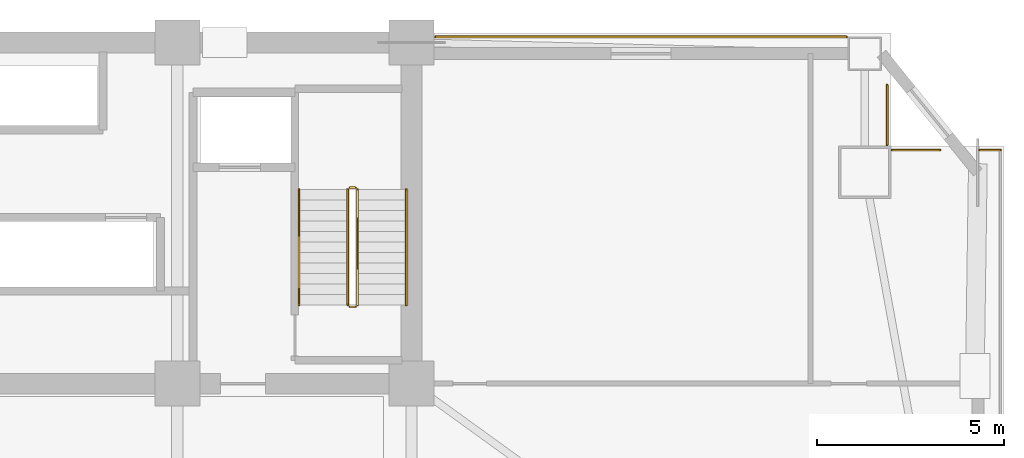
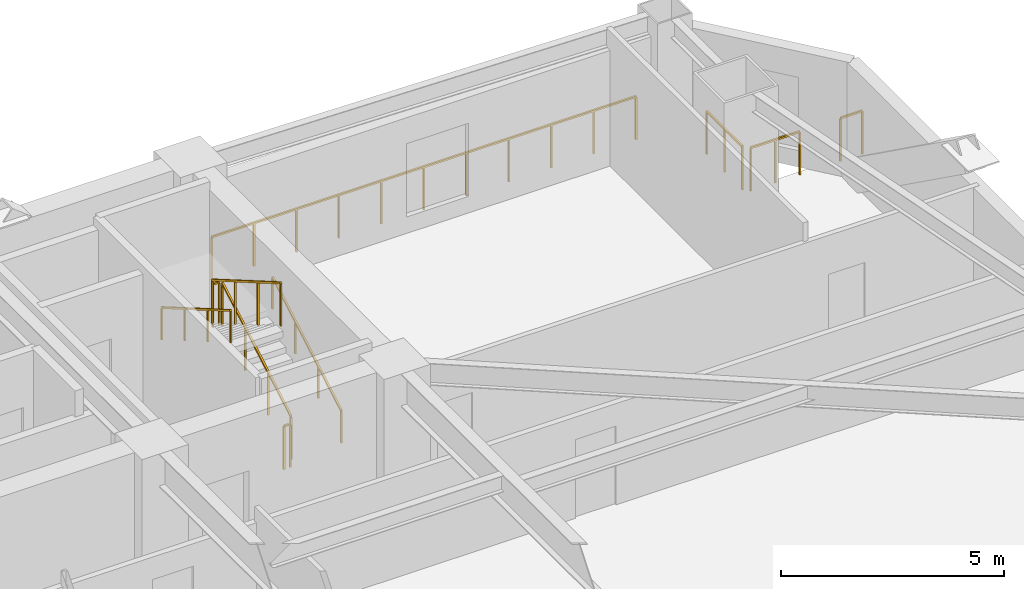
# One storey, part 15 of 15: 10 railings.
"""IFC4 building model written with IfcOpenShell, lengths in metres."""

from ifc_helpers import new_model, si_unit, direction, frame, origin, origin_2d, place, context, subcontext, project, spatial, rectangle, extrude, material, type_object, element, save


model = new_model("IFC4")

# Units and contexts
model_context = context("Model", 3, precision=1e-05, world=origin(), true_north=direction((0.0, 1.0)))
body_context = subcontext(model_context, "Body", "Model", "MODEL_VIEW")
ifc_project = project(units=[si_unit("LENGTHUNIT", "METRE"), si_unit("AREAUNIT", "SQUARE_METRE"), si_unit("VOLUMEUNIT", "CUBIC_METRE"), si_unit("PLANEANGLEUNIT", "RADIAN"), si_unit("MASSUNIT", "GRAM", prefix="KILO")], contexts=[model_context])

# Site, building, storey
site_placement = place(None, origin())
site = spatial("IfcSite", under=ifc_project, at=site_placement, CompositionType="ELEMENT")
building_placement = place(site_placement, origin())
building = spatial("IfcBuilding", under=site, at=building_placement, Name="Giltprow Tower", CompositionType="ELEMENT")
storey_placement = place(building_placement, frame((0.0, 0.0, 111.39990234375)))
storey = spatial("IfcBuildingStorey", under=building, at=storey_placement, Name="L27", CompositionType="ELEMENT", Elevation=111.39990234375)

# Railings
ifc_material = material(Name="Anodized bronze", Category="metal")
railing_type_1 = type_object("IfcRailingType", Name="RAIL-BALC-GUARD-1200", PredefinedType="BALUSTRADE", material=ifc_material)
railing_1_placement = place(storey_placement, frame((51.18505859375, 46.699951171875, 0.0)))
element("IfcRailing", 1, at=railing_1_placement, inside=storey, type_object=railing_type_1, Name="L27 Corner Apron Edge Balustrade 10", PredefinedType="BALUSTRADE", context=body_context, shape_type="SweptSolid", body=[
    extrude(rectangle(XDim=0.048095703125, YDim=0.048095703125, at=origin_2d()), frame((0.0, 0.0, 1.17578125), z_axis=(1.0, 0.0, 0.0), x_axis=(0.0, 1.0, 0.0)), (0.0, 0.0, 1.0), 10.968994140625),
    extrude(rectangle(XDim=0.0419921875, YDim=0.0419921875, at=origin_2d()), origin(), (0.0, 0.0, 1.0), 1.15185546875),
    extrude(rectangle(XDim=0.0419921875, YDim=0.0419921875, at=origin_2d()), frame((1.096923828125, 0.0, 0.0)), (0.0, 0.0, 1.0), 1.15185546875),
    extrude(rectangle(XDim=0.0419921875, YDim=0.0419921875, at=origin_2d()), frame((2.19384765625, 0.0, 0.0)), (0.0, 0.0, 1.0), 1.15185546875),
    extrude(rectangle(XDim=0.0419921875, YDim=0.0419921875, at=origin_2d()), frame((3.290771484375, 0.0, 0.0)), (0.0, 0.0, 1.0), 1.15185546875),
    extrude(rectangle(XDim=0.0419921875, YDim=0.0419921875, at=origin_2d()), frame((4.3876953125, 0.0, 0.0)), (0.0, 0.0, 1.0), 1.15185546875),
    extrude(rectangle(XDim=0.0419921875, YDim=0.0419921875, at=origin_2d()), frame((5.484375, 0.0, 0.0)), (0.0, 0.0, 1.0), 1.15185546875),
    extrude(rectangle(XDim=0.0419921875, YDim=0.0419921875, at=origin_2d()), frame((6.581298828125, 0.0, 0.0)), (0.0, 0.0, 1.0), 1.15185546875),
    extrude(rectangle(XDim=0.0419921875, YDim=0.0419921875, at=origin_2d()), frame((7.67822265625, 0.0, 0.0)), (0.0, 0.0, 1.0), 1.15185546875),
    extrude(rectangle(XDim=0.0419921875, YDim=0.0419921875, at=origin_2d()), frame((8.775146484375, 0.0, 0.0)), (0.0, 0.0, 1.0), 1.15185546875),
    extrude(rectangle(XDim=0.0419921875, YDim=0.0419921875, at=origin_2d()), frame((9.8720703125, 0.0, 0.0)), (0.0, 0.0, 1.0), 1.15185546875),
    extrude(rectangle(XDim=0.0419921875, YDim=0.0419921875, at=origin_2d()), frame((10.968994140625, 0.0, 0.0)), (0.0, 0.0, 1.0), 1.15185546875),
])
railing_2_placement = place(storey_placement, frame((63.239013671875, 45.4140625, 0.0)))
element("IfcRailing", 2, at=railing_2_placement, inside=storey, type_object=railing_type_1, Name="L27 Corner Apron Edge Balustrade 11", PredefinedType="BALUSTRADE", context=body_context, shape_type="SweptSolid", body=[
    extrude(rectangle(XDim=0.048095703125, YDim=0.048095703125, at=origin_2d()), frame((0.0, 0.0, 1.17578125), z_axis=(0.0, -1.0, 0.0), x_axis=(1.0, 0.0, 0.0)), (0.0, 0.0, 1.0), 1.595947265625),
    extrude(rectangle(XDim=0.0419921875, YDim=0.0419921875, at=origin_2d()), origin(), (0.0, 0.0, 1.0), 1.15185546875),
    extrude(rectangle(XDim=0.0419921875, YDim=0.0419921875, at=origin_2d()), frame((0.0, -0.7978515625, 0.0)), (0.0, 0.0, 1.0), 1.15185546875),
    extrude(rectangle(XDim=0.0419921875, YDim=0.0419921875, at=origin_2d()), frame((0.0, -1.595947265625, 0.0)), (0.0, 0.0, 1.0), 1.15185546875),
])
railing_3_placement = place(storey_placement, frame((63.3740234375, 43.68310546875, 0.0)))
element("IfcRailing", 3, at=railing_3_placement, inside=storey, type_object=railing_type_1, Name="L27 Corner Apron Edge Balustrade 12", PredefinedType="BALUSTRADE", context=body_context, shape_type="SweptSolid", body=[
    extrude(rectangle(XDim=0.048095703125, YDim=0.048095703125, at=origin_2d()), frame((0.0, 0.0, 1.17578125), z_axis=(1.0, 0.0, 0.0), x_axis=(0.0, 1.0, 0.0)), (0.0, 0.0, 1.0), 1.26806640625),
    extrude(rectangle(XDim=0.0419921875, YDim=0.0419921875, at=origin_2d()), origin(), (0.0, 0.0, 1.0), 1.15185546875),
    extrude(rectangle(XDim=0.0419921875, YDim=0.0419921875, at=origin_2d()), frame((0.634033203125, 0.0, 0.0)), (0.0, 0.0, 1.0), 1.15185546875),
    extrude(rectangle(XDim=0.0419921875, YDim=0.0419921875, at=origin_2d()), frame((1.26806640625, 0.0, 0.0)), (0.0, 0.0, 1.0), 1.15185546875),
])
railing_4_placement = place(storey_placement, frame((65.697021484375, 43.68310546875, 0.0)))
element("IfcRailing", 4, at=railing_4_placement, inside=storey, type_object=railing_type_1, Name="L27 Corner Apron Edge Balustrade 13", PredefinedType="BALUSTRADE", context=body_context, shape_type="SweptSolid", body=[
    extrude(rectangle(XDim=0.048095703125, YDim=0.048095703125, at=origin_2d()), frame((0.0, 0.0, 1.17578125), z_axis=(1.0, 0.0, 0.0), x_axis=(0.0, 1.0, 0.0)), (0.0, 0.0, 1.0), 0.55908203125),
    extrude(rectangle(XDim=0.0419921875, YDim=0.0419921875, at=origin_2d()), origin(), (0.0, 0.0, 1.0), 1.15185546875),
    extrude(rectangle(XDim=0.0419921875, YDim=0.0419921875, at=origin_2d()), frame((0.55908203125, 0.0, 0.0)), (0.0, 0.0, 1.0), 1.15185546875),
])
railing_type_2 = type_object("IfcRailingType", Name="RAIL-STAIR-GUARD-1200", PredefinedType="GUARDRAIL", material=ifc_material)
railing_5_placement = place(storey_placement, frame((49.110107421875, 39.550048828125, 0.16259765625)))
element("IfcRailing", 5, at=railing_5_placement, inside=storey, type_object=railing_type_2, Name="L27 ST-3 stair guard 1", PredefinedType="GUARDRAIL", context=body_context, shape_type="SweptSolid", body=[
    extrude(rectangle(XDim=0.048095703125, YDim=0.048095703125, at=origin_2d()), frame((0.0, 0.0, 1.17578125), z_axis=(0.0, 0.864873446163, 0.501989962173), x_axis=(-1.0, 0.0, 0.0)), (0.0, 0.0, 1.0), 3.56103515625),
    extrude(rectangle(XDim=0.0419921875, YDim=0.0419921875, at=origin_2d()), origin(), (0.0, 0.0, 1.0), 1.15185546875),
    extrude(rectangle(XDim=0.0419921875, YDim=0.0419921875, at=origin_2d()), frame((0.0, 1.026611328125, 0.595947265625)), (0.0, 0.0, 1.0), 1.15185546875),
    extrude(rectangle(XDim=0.0419921875, YDim=0.0419921875, at=origin_2d()), frame((0.0, 2.05322265625, 1.191650390625)), (0.0, 0.0, 1.0), 1.15185546875),
    extrude(rectangle(XDim=0.0419921875, YDim=0.0419921875, at=origin_2d()), frame((0.0, 3.079833984375, 1.78759765625)), (0.0, 0.0, 1.0), 1.15185546875),
])
railing_6_placement = place(storey_placement, frame((49.06005859375, 42.679931640625, 1.9501953125)))
element("IfcRailing", 6, at=railing_6_placement, inside=storey, type_object=railing_type_2, Name="L27 ST-3 stair guard 2", PredefinedType="GUARDRAIL", context=body_context, shape_type="SweptSolid", body=[
    extrude(rectangle(XDim=0.048095703125, YDim=0.048095703125, at=origin_2d()), frame((0.0, 0.0, 1.17578125), z_axis=(-1.0, 0.0, 0.0), x_axis=(0.0, -1.0, 0.0)), (0.0, 0.0, 1.0), 0.16015625),
    extrude(rectangle(XDim=0.0419921875, YDim=0.0419921875, at=origin_2d()), origin(), (0.0, 0.0, 1.0), 1.15185546875),
    extrude(rectangle(XDim=0.0419921875, YDim=0.0419921875, at=origin_2d()), frame((-0.16015625, 0.0, 0.0)), (0.0, 0.0, 1.0), 1.15185546875),
])
railing_7_placement = place(storey_placement, frame((48.85009765625, 42.6298828125, 2.112548828125)))
element("IfcRailing", 7, at=railing_7_placement, inside=storey, type_object=railing_type_2, Name="L27 ST-3 stair guard 3", PredefinedType="GUARDRAIL", context=body_context, shape_type="SweptSolid", body=[
    extrude(rectangle(XDim=0.048095703125, YDim=0.048095703125, at=origin_2d()), frame((0.0, 0.0, 1.17578125), z_axis=(0.0, -0.864873446163, 0.501989962173), x_axis=(1.0, 0.0, 0.0)), (0.0, 0.0, 1.0), 3.56103515625),
    extrude(rectangle(XDim=0.0419921875, YDim=0.0419921875, at=origin_2d()), origin(), (0.0, 0.0, 1.0), 1.15185546875),
    extrude(rectangle(XDim=0.0419921875, YDim=0.0419921875, at=origin_2d()), frame((0.0, -1.026611328125, 0.595947265625)), (0.0, 0.0, 1.0), 1.15185546875),
    extrude(rectangle(XDim=0.0419921875, YDim=0.0419921875, at=origin_2d()), frame((0.0, -2.05322265625, 1.191650390625)), (0.0, 0.0, 1.0), 1.15185546875),
    extrude(rectangle(XDim=0.0419921875, YDim=0.0419921875, at=origin_2d()), frame((0.0, -3.079833984375, 1.78759765625)), (0.0, 0.0, 1.0), 1.15185546875),
])
railing_8_placement = place(storey_placement, frame((49.06005859375, 39.5, 0.0)))
element("IfcRailing", 8, at=railing_8_placement, inside=storey, type_object=railing_type_2, Name="L27 ST-3 stair guard 4", PredefinedType="GUARDRAIL", context=body_context, shape_type="SweptSolid", body=[
    extrude(rectangle(XDim=0.048095703125, YDim=0.048095703125, at=origin_2d()), frame((0.0, 0.0, 1.17578125), z_axis=(-1.0, 0.0, 0.0), x_axis=(0.0, -1.0, 0.0)), (0.0, 0.0, 1.0), 0.16015625),
    extrude(rectangle(XDim=0.0419921875, YDim=0.0419921875, at=origin_2d()), origin(), (0.0, 0.0, 1.0), 1.15185546875),
    extrude(rectangle(XDim=0.0419921875, YDim=0.0419921875, at=origin_2d()), frame((-0.16015625, 0.0, 0.0)), (0.0, 0.0, 1.0), 1.15185546875),
])
railing_type_3 = type_object("IfcRailingType", Name="RAIL-STAIR-HAND-900", PredefinedType="HANDRAIL", material=ifc_material)
railing_9_placement = place(storey_placement, frame((50.409912109375, 39.550048828125, 0.16259765625)))
element("IfcRailing", 9, at=railing_9_placement, inside=storey, type_object=railing_type_3, Name="L27 ST-3 stair handrail 1", PredefinedType="HANDRAIL", context=body_context, shape_type="SweptSolid", body=[
    extrude(rectangle(XDim=0.048095703125, YDim=0.048095703125, at=origin_2d()), frame((0.0, 0.0, 0.8759765625), z_axis=(0.0, 0.864873446163, 0.501989962173), x_axis=(-1.0, 0.0, 0.0)), (0.0, 0.0, 1.0), 3.56103515625),
    extrude(rectangle(XDim=0.0419921875, YDim=0.0419921875, at=origin_2d()), origin(), (0.0, 0.0, 1.0), 0.851806640625),
    extrude(rectangle(XDim=0.0419921875, YDim=0.0419921875, at=origin_2d()), frame((0.0, 1.026611328125, 0.595947265625)), (0.0, 0.0, 1.0), 0.851806640625),
    extrude(rectangle(XDim=0.0419921875, YDim=0.0419921875, at=origin_2d()), frame((0.0, 2.05322265625, 1.191650390625)), (0.0, 0.0, 1.0), 0.851806640625),
    extrude(rectangle(XDim=0.0419921875, YDim=0.0419921875, at=origin_2d()), frame((0.0, 3.079833984375, 1.78759765625)), (0.0, 0.0, 1.0), 0.851806640625),
])
railing_10_placement = place(storey_placement, frame((47.550048828125, 42.6298828125, 2.112548828125)))
element("IfcRailing", 10, at=railing_10_placement, inside=storey, type_object=railing_type_3, Name="L27 ST-3 stair handrail 2", PredefinedType="HANDRAIL", context=body_context, shape_type="SweptSolid", body=[
    extrude(rectangle(XDim=0.048095703125, YDim=0.048095703125, at=origin_2d()), frame((0.0, 0.0, 0.8759765625), z_axis=(0.0, -0.864873446163, 0.501989962173), x_axis=(1.0, 0.0, 0.0)), (0.0, 0.0, 1.0), 3.56103515625),
    extrude(rectangle(XDim=0.0419921875, YDim=0.0419921875, at=origin_2d()), origin(), (0.0, 0.0, 1.0), 0.851806640625),
    extrude(rectangle(XDim=0.0419921875, YDim=0.0419921875, at=origin_2d()), frame((0.0, -1.026611328125, 0.595947265625)), (0.0, 0.0, 1.0), 0.851806640625),
    extrude(rectangle(XDim=0.0419921875, YDim=0.0419921875, at=origin_2d()), frame((0.0, -2.05322265625, 1.191650390625)), (0.0, 0.0, 1.0), 0.851806640625),
    extrude(rectangle(XDim=0.0419921875, YDim=0.0419921875, at=origin_2d()), frame((0.0, -3.079833984375, 1.78759765625)), (0.0, 0.0, 1.0), 0.851806640625),
])

save(model, "model.ifc")
